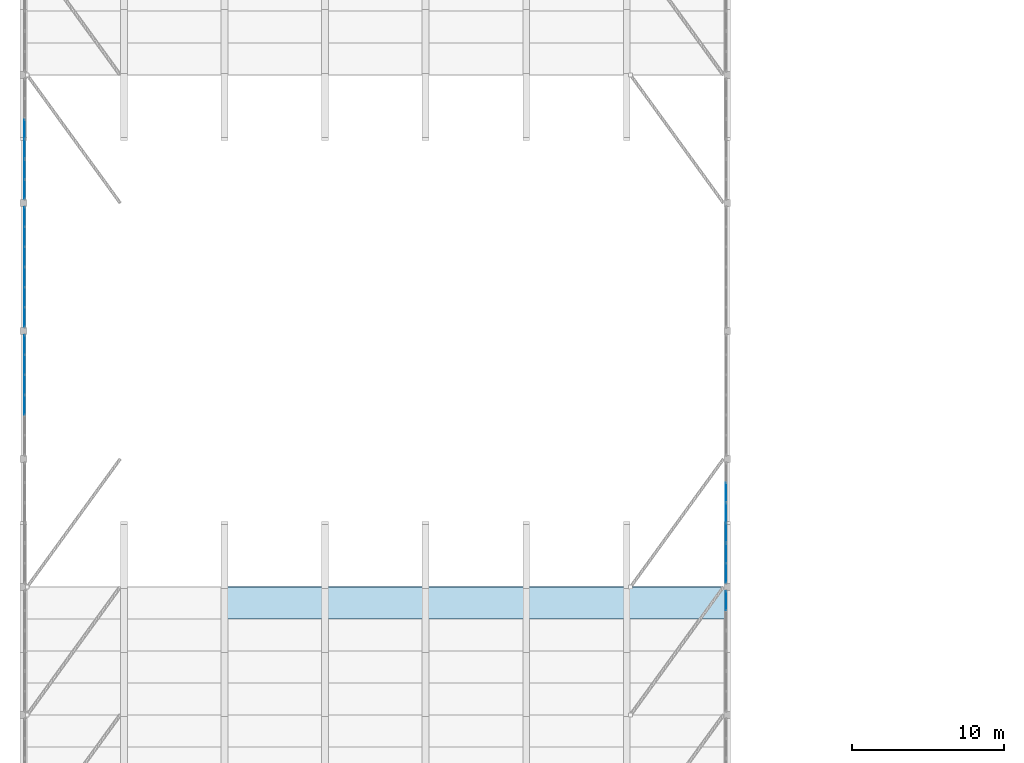
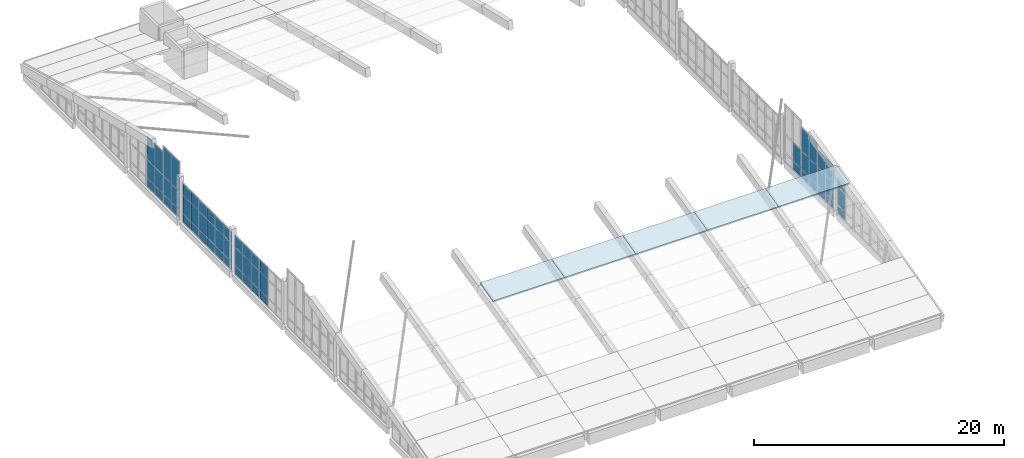
# One storey, part 42 of 78: 59 plates, 5 slabs, 8 elements without a shape of their own.
"""IFC4 building model written with IfcOpenShell, lengths in metres."""

import ifcopenshell
import ifcopenshell.guid

model = None  # the IFC model being written
_history = None  # IfcOwnerHistory: only IFC2X3 demands one
_inside = {}  # id of a spatial element -> (the spatial element, [elements in it])
_under = {}  # id of a project, library or spatial element -> (it, [spatial elements below it])
_declared = {}  # id of a project -> (the project, [libraries it declares])
_typed = {}  # id of a type object -> (the type object, [elements of that type])
_made_of = {}  # id of a material, layer set ... -> (it, [elements and type objects made of it])


def new_model(schema):
    """Start an empty IFC model of exactly this schema.

    Asked for "IFC4X3", IfcOpenShell would pick the latest addendum, in which some entities
    have other attributes; the version numbers below select the first issue.
    IFC2X3 requires an IfcOwnerHistory on every rooted entity: one is made here for all.
    """
    global model, _history
    if schema == "IFC4X3":
        model = ifcopenshell.file(schema_version=(4, 3, 0, 0))
    else:
        model = ifcopenshell.file(schema=schema)
    _inside.clear()
    _under.clear()
    _declared.clear()
    _typed.clear()
    _made_of.clear()
    _history = None
    if model.schema == "IFC2X3":
        org = make("IfcOrganization", Name="unknown")
        user = make(
            "IfcPersonAndOrganization",
            ThePerson=make("IfcPerson", FamilyName="unknown"),
            TheOrganization=org,
        )
        app = make(
            "IfcApplication",
            ApplicationDeveloper=org,
            Version="unknown",
            ApplicationFullName="unknown",
            ApplicationIdentifier="unknown",
        )
        _history = make(
            "IfcOwnerHistory",
            OwningUser=user,
            OwningApplication=app,
            ChangeAction="ADDED",
            CreationDate=0,
        )
    return model


def make(cls, **values):
    """One entity of the class cls with the attributes given. An attribute that is None is left unset."""
    return model.create_entity(
        cls, **{name: value for name, value in values.items() if value is not None}
    )


def rooted(cls, **values):
    """An entity with a GlobalId (a new one), such as an element, a storey or a relation."""
    return make(cls, GlobalId=ifcopenshell.guid.new(), OwnerHistory=_history, **values)


def si_unit(unit_type, name, prefix=None):
    """IfcSIUnit, for example si_unit("LENGTHUNIT", "METRE", prefix="MILLI")."""
    return make("IfcSIUnit", UnitType=unit_type, Prefix=prefix, Name=name)


def assignment(units):
    """IfcUnitAssignment: the units of a project."""
    return None if units is None else make("IfcUnitAssignment", Units=units)


def point(xyz):
    """IfcCartesianPoint."""
    return None if xyz is None else make("IfcCartesianPoint", Coordinates=xyz)


def direction(xyz):
    """IfcDirection."""
    return None if xyz is None else make("IfcDirection", DirectionRatios=xyz)


def frame(location, z_axis=None, x_axis=None):
    """IfcAxis2Placement3D, a coordinate frame: its origin and axes. An axis left out is left unset."""
    return make(
        "IfcAxis2Placement3D",
        Location=point(location),
        Axis=direction(z_axis),
        RefDirection=direction(x_axis),
    )


def frame_2d(location, x_axis=None):
    """IfcAxis2Placement2D, a coordinate frame in the plane: its origin and x axis."""
    return make(
        "IfcAxis2Placement2D", Location=point(location), RefDirection=direction(x_axis)
    )


def origin():
    """The frame at (0, 0, 0) with its axes left unset."""
    return frame((0.0, 0.0, 0.0))


def origin_2d():
    """The frame at (0, 0) in the plane with its x axis left unset."""
    return frame_2d((0.0, 0.0))


def place(relative_to, where):
    """IfcLocalPlacement: puts the frame where relative to a parent placement (None: the world)."""
    return make(
        "IfcLocalPlacement", PlacementRelTo=relative_to, RelativePlacement=where
    )


def context(
    kind, dimensions, precision=None, world=None, true_north=None, identifier=None
):
    """IfcGeometricRepresentationContext, for example the 3D "Model" context."""
    return make(
        "IfcGeometricRepresentationContext",
        ContextIdentifier=identifier,
        ContextType=kind,
        CoordinateSpaceDimension=dimensions,
        Precision=precision,
        WorldCoordinateSystem=world,
        TrueNorth=true_north,
    )


def subcontext(parent, identifier, kind, view, scale=None):
    """IfcGeometricRepresentationSubContext, for example "Body" below "Model"."""
    return make(
        "IfcGeometricRepresentationSubContext",
        ContextIdentifier=identifier,
        ContextType=kind,
        ParentContext=parent,
        TargetScale=scale,
        TargetView=view,
    )


def project(units=None, contexts=None):
    """IfcProject with its units and contexts."""
    return rooted(
        "IfcProject",
        Name="project",
        RepresentationContexts=contexts,
        UnitsInContext=assignment(units),
    )


def spatial(cls, under=None, at=None, **own):
    """A site, building, storey or space (cls), placed at a placement, below another one or the project."""
    s = rooted(cls, ObjectPlacement=at, **own)
    if under is not None:
        _under.setdefault(under.id(), (under, []))[1].append(s)
    return s


def polyline(points):
    """IfcPolyline through the points."""
    return make("IfcPolyline", Points=[point(p) for p in points])


def profile(cls, at=None, kind="AREA", **sizes):
    """A parametric profile (cls). Its sizes go by their IFC names, for example OverallWidth=200.0."""
    return make(cls, ProfileType=kind, Position=at, **sizes)


def rectangle(**sizes):
    """IfcRectangleProfileDef."""
    return profile("IfcRectangleProfileDef", **sizes)


def outline(outer, holes=None, kind="AREA"):
    """IfcArbitraryClosedProfileDef: a profile drawn as a closed curve; with holes, ...WithVoids."""
    if holes is None:
        return make("IfcArbitraryClosedProfileDef", ProfileType=kind, OuterCurve=outer)
    return make(
        "IfcArbitraryProfileDefWithVoids",
        ProfileType=kind,
        OuterCurve=outer,
        InnerCurves=holes,
    )


def extrude(swept, where, along, depth):
    """IfcExtrudedAreaSolid: the profile swept, set in the frame where, extruded along a direction by depth."""
    return make(
        "IfcExtrudedAreaSolid",
        SweptArea=swept,
        Position=where,
        ExtrudedDirection=direction(along),
        Depth=depth,
    )


def shape(context_of_items, identifier, shape_type, items):
    """IfcShapeRepresentation: the items that make up one representation, for example the "Body"."""
    return make(
        "IfcShapeRepresentation",
        ContextOfItems=context_of_items,
        RepresentationIdentifier=identifier,
        RepresentationType=shape_type,
        Items=items,
    )


def material(Name=None, Category=None):
    """IfcMaterial."""
    return make("IfcMaterial", Name=Name, Category=Category)


def layer(
    of_material, thickness, ventilated=None, Name=None, Category=None, Priority=None
):
    """IfcMaterialLayer: one layer of a wall or slab, of a material (None: an air gap)."""
    return make(
        "IfcMaterialLayer",
        Material=of_material,
        LayerThickness=thickness,
        IsVentilated=ventilated,
        Name=Name,
        Category=Category,
        Priority=Priority,
    )


def layer_set(layers, Name=None):
    """IfcMaterialLayerSet."""
    return make("IfcMaterialLayerSet", MaterialLayers=layers, LayerSetName=Name)


def made_of(thing, what):
    """Note that an element or type object is made of a material, layer set ...; save() writes the relation."""
    if what is not None:
        _made_of.setdefault(what.id(), (what, []))[1].append(thing)
    return thing


def type_object(cls, material=None, **own):
    """A type object (cls), such as IfcWallType, which elements share."""
    return made_of(rooted(cls, **own), material)


def element(
    cls,
    number,
    at=None,
    inside=None,
    cuts=None,
    type_object=None,
    material=None,
    context=None,
    identifier="Body",
    shape_type=None,
    held_by="IfcProductDefinitionShape",
    body=None,
    shapes=None,
    **own,
):
    """One element of the class cls, such as IfcWall. Its Tag is "e" and its number.

    at: its placement. inside: the storey or other place that contains it. cuts: it is an
    opening in that element (IfcRelVoidsElement). A single representation is given by context,
    identifier, shape_type and body (its items); several are given by shapes. held_by: the class
    of the entity that holds the representations. save() writes the other relations.
    """
    e = rooted(cls, Tag="e%d" % number, ObjectPlacement=at, **own)
    if body is not None:
        shapes = [shape(context, identifier, shape_type, body)]
    if shapes is not None:
        e.Representation = make(held_by, Representations=shapes)
    if inside is not None:
        _inside.setdefault(inside.id(), (inside, []))[1].append(e)
    if cuts is not None:
        rooted(
            "IfcRelVoidsElement", RelatingBuildingElement=cuts, RelatedOpeningElement=e
        )
    if type_object is not None:
        _typed.setdefault(type_object.id(), (type_object, []))[1].append(e)
    return made_of(e, material)


def aggregate(whole, parts):
    """IfcRelAggregates: a whole, such as a stair, and the parts it consists of."""
    return rooted("IfcRelAggregates", RelatingObject=whole, RelatedObjects=parts)


def save(model, path):
    """Write the relations noted so far, then the file.

    IfcRelAggregates (storeys below a building ...), IfcRelContainedInSpatialStructure (elements
    in a storey), IfcRelDefinesByType, IfcRelAssociatesMaterial and IfcRelDeclares: one each for
    every whole, place, type object, material and project.
    """
    for whole, parts in _under.values():
        aggregate(whole, parts)
    for where, things in _inside.values():
        rooted(
            "IfcRelContainedInSpatialStructure",
            RelatedElements=things,
            RelatingStructure=where,
        )
    for kind, things in _typed.values():
        rooted("IfcRelDefinesByType", RelatedObjects=things, RelatingType=kind)
    for what, things in _made_of.values():
        rooted("IfcRelAssociatesMaterial", RelatedObjects=things, RelatingMaterial=what)
    for by, libraries in _declared.values():
        rooted("IfcRelDeclares", RelatingContext=by, RelatedDefinitions=libraries)
    model.write(path)


model = new_model("IFC4")

# Units and contexts
model_context = context("Model", 3, precision=1e-05, world=origin(), true_north=direction((0.0, 1.0)))
body_context = subcontext(model_context, "Body", "Model", "MODEL_VIEW")
ifc_project = project(units=[si_unit("LENGTHUNIT", "METRE"), si_unit("AREAUNIT", "SQUARE_METRE"), si_unit("VOLUMEUNIT", "CUBIC_METRE"), si_unit("PLANEANGLEUNIT", "RADIAN"), si_unit("MASSUNIT", "GRAM", prefix="KILO")], contexts=[model_context])

# Site, building, storey
site_placement = place(None, origin())
site = spatial("IfcSite", under=ifc_project, at=site_placement, CompositionType="ELEMENT")
building_placement = place(site_placement, origin())
building = spatial("IfcBuilding", under=site, at=building_placement, Name="Qaldarim Faculty of Natural and Applied Sciences", CompositionType="ELEMENT")
storey_placement = place(building_placement, frame((0.0, 0.0, 18.60009765625)))
storey = spatial("IfcBuildingStorey", under=building, at=storey_placement, Name="L04", CompositionType="ELEMENT", Elevation=18.60009765625)

# Slabs
ifc_material_1 = material(Name="Concrete C40/50", Category="concrete")
ifc_layer_1 = layer(ifc_material_1, 0.159912109375)
ifc_layer_set_1 = layer_set([ifc_layer_1], Name="Concrete C40/50")
slab_type = type_object("IfcSlabType", Name="PointedArchShellStrip-160", PredefinedType="ROOF", material=ifc_layer_set_1)
slab_1_placement = place(storey_placement, frame((13.199951171875, 31.5380859375, 3.66943359375), z_axis=(0.0, -0.238123063783, 0.971234990357), x_axis=(1.0, 0.0, 0.0)))
element("IfcSlab", 1, at=slab_1_placement, inside=storey, type_object=slab_type, Name="Pointed-arch shell strip B03-S09", PredefinedType="ROOF", context=body_context, shape_type="SweptSolid", body=[
    extrude(outline(polyline([(0.0, 0.0), (6.60009765625, 0.0), (6.60009765625, 2.162296125139883), (0.0, 2.162296125139883), (0.0, 0.0)])), origin(), (0.0, 0.0, 1.0), 0.159912109375),
])
slab_2_placement = place(storey_placement, frame((19.800048828125, 31.5380859375, 3.66943359375), z_axis=(0.0, -0.238123063783, 0.971234990357), x_axis=(1.0, 0.0, 0.0)))
element("IfcSlab", 2, at=slab_2_placement, inside=storey, type_object=slab_type, Name="Pointed-arch shell strip B04-S09", PredefinedType="ROOF", context=body_context, shape_type="SweptSolid", body=[
    extrude(outline(polyline([(0.0, 0.0), (6.599853515625, 0.0), (6.599853515625, 2.162296125139883), (0.0, 2.162296125139883), (0.0, 0.0)])), origin(), (0.0, 0.0, 1.0), 0.159912109375),
])
for number, where, z_axis, x_axis, name in (
    (3, (26.39990234375, 31.5380859375, 3.66943359375), (0.0, -0.238123063783, 0.971234990357), (1.0, 0.0, 0.0), "Pointed-arch shell strip B05-S09"),
    (4, (33.0, 31.5380859375, 3.66943359375), (0.0, -0.238123063783, 0.971234990357), (1.0, 0.0, 0.0), "Pointed-arch shell strip B06-S09"),
):
    element("IfcSlab", number, at=place(storey_placement, frame(where, z_axis=z_axis, x_axis=x_axis)), inside=storey, type_object=slab_type, Name=name, PredefinedType="ROOF", context=body_context, shape_type="SweptSolid", body=[
        extrude(outline(polyline([(0.0, 0.0), (6.60009765625, 0.0), (6.60009765625, 2.162296125139883), (0.0, 2.162296125139883), (0.0, 0.0)])), origin(), (0.0, 0.0, 1.0), 0.159912109375),
    ])
slab_3_placement = place(storey_placement, frame((39.60009765625, 31.5380859375, 3.66943359375), z_axis=(0.0, -0.238123063783, 0.971234990357), x_axis=(1.0, 0.0, 0.0)))
element("IfcSlab", 5, at=slab_3_placement, inside=storey, type_object=slab_type, Name="Pointed-arch shell strip B07-S09", PredefinedType="ROOF", context=body_context, shape_type="SweptSolid", body=[
    extrude(outline(polyline([(0.0, 0.0), (6.599853515625, 0.0), (6.599853515625, 2.162296125139883), (0.0, 2.162296125139883), (0.0, 0.0)])), origin(), (0.0, 0.0, 1.0), 0.159912109375),
])

# Curtain wall, plates
ifc_material_2 = material(Name="Anodised aluminium AW-6063", Category="aluminium")
curtain_wall_type = type_object("IfcCurtainWallType", Name="CurtainWallSystem-M1300", PredefinedType="USERDEFINED", material=ifc_material_2)
curtain_wall_1_placement = place(storey_placement, origin())
curtain_wall_1 = element("IfcCurtainWall", 6, at=curtain_wall_1_placement, inside=storey, type_object=curtain_wall_type, Name="Curtain wall CW-GABLE-L04-W-Y06", ObjectType="STICK CURTAIN WALL", PredefinedType="USERDEFINED")
ifc_material_3 = material(Name="Insulated low-e double glazing", Category="glass")
ifc_layer_2 = layer(ifc_material_3, 0.028076171875)
ifc_layer_set_2 = layer_set([ifc_layer_2], Name="Insulated low-e double glazing")
plate_type = type_object("IfcPlateType", Name="VisionGlazingPanel-28", PredefinedType="CURTAIN_PANEL", material=ifc_layer_set_2)
plate_1_placement = place(storey_placement, frame((0.080078125, 49.493408203125, -0.2001953125), z_axis=(0.0, 0.0, 1.0), x_axis=(0.0, -1.0, 0.0)))
plate_1 = element("IfcPlate", 7, at=plate_1_placement, type_object=plate_type, Name="Glazed panel 1-1 of CW-GABLE-L04-W-Y06", PredefinedType="CURTAIN_PANEL", context=body_context, shape_type="SweptSolid", body=[
    extrude(rectangle(XDim=1.2333984375, YDim=0.028076171875, at=origin_2d()), origin(), (0.0, 0.0, 1.0), 0.81005859375),
])
plate_2_placement = place(storey_placement, frame((0.080078125, 49.493408203125, 0.669921875), z_axis=(0.0, 0.0, 1.0), x_axis=(0.0, -1.0, 0.0)))
plate_2 = element("IfcPlate", 8, at=plate_2_placement, type_object=plate_type, Name="Glazed panel 1-2 of CW-GABLE-L04-W-Y06", PredefinedType="CURTAIN_PANEL", context=body_context, shape_type="SweptSolid", body=[
    extrude(rectangle(XDim=1.2333984375, YDim=0.028076171875, at=origin_2d()), origin(), (0.0, 0.0, 1.0), 1.739990234375),
])
plate_3_placement = place(storey_placement, frame((0.080078125, 49.493408203125, 2.4697265625), z_axis=(0.0, 0.0, 1.0), x_axis=(0.0, -1.0, 0.0)))
plate_3 = element("IfcPlate", 9, at=plate_3_placement, type_object=plate_type, Name="Glazed panel 1-3 of CW-GABLE-L04-W-Y06", PredefinedType="CURTAIN_PANEL", context=body_context, shape_type="SweptSolid", body=[
    extrude(rectangle(XDim=1.2333984375, YDim=0.028076171875, at=origin_2d()), origin(), (0.0, 0.0, 1.0), 1.070068359375),
])
plate_4_placement = place(storey_placement, frame((0.080078125, 48.18505859375, -0.2001953125), z_axis=(0.0, 0.0, 1.0), x_axis=(0.0, -1.0, 0.0)))
plate_4 = element("IfcPlate", 10, at=plate_4_placement, type_object=plate_type, Name="Glazed panel 2-1 of CW-GABLE-L04-W-Y06", PredefinedType="CURTAIN_PANEL", context=body_context, shape_type="SweptSolid", body=[
    extrude(rectangle(XDim=1.26318359375, YDim=0.028076171875, at=origin_2d()), origin(), (0.0, 0.0, 1.0), 0.81005859375),
])
plate_5_placement = place(storey_placement, frame((0.080078125, 48.18505859375, 0.669921875), z_axis=(0.0, 0.0, 1.0), x_axis=(0.0, -1.0, 0.0)))
plate_5 = element("IfcPlate", 11, at=plate_5_placement, type_object=plate_type, Name="Glazed panel 2-2 of CW-GABLE-L04-W-Y06", PredefinedType="CURTAIN_PANEL", context=body_context, shape_type="SweptSolid", body=[
    extrude(rectangle(XDim=1.26318359375, YDim=0.028076171875, at=origin_2d()), origin(), (0.0, 0.0, 1.0), 1.739990234375),
])
plate_6_placement = place(storey_placement, frame((0.080078125, 48.18505859375, 2.4697265625), z_axis=(0.0, 0.0, 1.0), x_axis=(0.0, -1.0, 0.0)))
plate_6 = element("IfcPlate", 12, at=plate_6_placement, type_object=plate_type, Name="Glazed panel 2-3 of CW-GABLE-L04-W-Y06", PredefinedType="CURTAIN_PANEL", context=body_context, shape_type="SweptSolid", body=[
    extrude(rectangle(XDim=1.26318359375, YDim=0.028076171875, at=origin_2d()), origin(), (0.0, 0.0, 1.0), 1.070068359375),
])
plate_7_placement = place(storey_placement, frame((0.080078125, 46.86181640625, -0.2001953125), z_axis=(0.0, 0.0, 1.0), x_axis=(0.0, -1.0, 0.0)))
plate_7 = element("IfcPlate", 13, at=plate_7_placement, type_object=plate_type, Name="Glazed panel 3-1 of CW-GABLE-L04-W-Y06", PredefinedType="CURTAIN_PANEL", context=body_context, shape_type="SweptSolid", body=[
    extrude(rectangle(XDim=1.26318359375, YDim=0.028076171875, at=origin_2d()), origin(), (0.0, 0.0, 1.0), 0.81005859375),
])
plate_8_placement = place(storey_placement, frame((0.080078125, 46.86181640625, 0.669921875), z_axis=(0.0, 0.0, 1.0), x_axis=(0.0, -1.0, 0.0)))
plate_8 = element("IfcPlate", 14, at=plate_8_placement, type_object=plate_type, Name="Glazed panel 3-2 of CW-GABLE-L04-W-Y06", PredefinedType="CURTAIN_PANEL", context=body_context, shape_type="SweptSolid", body=[
    extrude(rectangle(XDim=1.26318359375, YDim=0.028076171875, at=origin_2d()), origin(), (0.0, 0.0, 1.0), 1.739990234375),
])
plate_9_placement = place(storey_placement, frame((0.080078125, 46.86181640625, 2.4697265625), z_axis=(0.0, 0.0, 1.0), x_axis=(0.0, -1.0, 0.0)))
plate_9 = element("IfcPlate", 15, at=plate_9_placement, type_object=plate_type, Name="Glazed panel 3-3 of CW-GABLE-L04-W-Y06", PredefinedType="CURTAIN_PANEL", context=body_context, shape_type="SweptSolid", body=[
    extrude(rectangle(XDim=1.26318359375, YDim=0.028076171875, at=origin_2d()), origin(), (0.0, 0.0, 1.0), 1.070068359375),
])
plate_10_placement = place(storey_placement, frame((0.080078125, 45.538330078125, -0.2001953125), z_axis=(0.0, 0.0, 1.0), x_axis=(0.0, -1.0, 0.0)))
plate_10 = element("IfcPlate", 16, at=plate_10_placement, type_object=plate_type, Name="Glazed panel 4-1 of CW-GABLE-L04-W-Y06", PredefinedType="CURTAIN_PANEL", context=body_context, shape_type="SweptSolid", body=[
    extrude(rectangle(XDim=1.26318359375, YDim=0.028076171875, at=origin_2d()), origin(), (0.0, 0.0, 1.0), 0.81005859375),
])
plate_11_placement = place(storey_placement, frame((0.080078125, 45.538330078125, 0.669921875), z_axis=(0.0, 0.0, 1.0), x_axis=(0.0, -1.0, 0.0)))
plate_11 = element("IfcPlate", 17, at=plate_11_placement, type_object=plate_type, Name="Glazed panel 4-2 of CW-GABLE-L04-W-Y06", PredefinedType="CURTAIN_PANEL", context=body_context, shape_type="SweptSolid", body=[
    extrude(rectangle(XDim=1.26318359375, YDim=0.028076171875, at=origin_2d()), origin(), (0.0, 0.0, 1.0), 1.739990234375),
])
plate_12_placement = place(storey_placement, frame((0.080078125, 45.538330078125, 2.4697265625), z_axis=(0.0, 0.0, 1.0), x_axis=(0.0, -1.0, 0.0)))
plate_12 = element("IfcPlate", 18, at=plate_12_placement, type_object=plate_type, Name="Glazed panel 4-3 of CW-GABLE-L04-W-Y06", PredefinedType="CURTAIN_PANEL", context=body_context, shape_type="SweptSolid", body=[
    extrude(rectangle(XDim=1.26318359375, YDim=0.028076171875, at=origin_2d()), origin(), (0.0, 0.0, 1.0), 1.070068359375),
])
aggregate(curtain_wall_1, [plate_1, plate_2, plate_3, plate_4, plate_5, plate_6, plate_7, plate_8, plate_9, plate_10, plate_11, plate_12])

curtain_wall_2_placement = place(storey_placement, origin())
curtain_wall_2 = element("IfcCurtainWall", 19, at=curtain_wall_2_placement, inside=storey, type_object=curtain_wall_type, Name="Curtain wall CW-GABLE-L04-W-Y07", ObjectType="STICK CURTAIN WALL", PredefinedType="USERDEFINED")
plate_13_placement = place(storey_placement, frame((0.080078125, 57.893310546875, -0.2001953125), z_axis=(0.0, 0.0, 1.0), x_axis=(0.0, -1.0, 0.0)))
plate_13 = element("IfcPlate", 20, at=plate_13_placement, type_object=plate_type, Name="Glazed panel 1-1 of CW-GABLE-L04-W-Y07", PredefinedType="CURTAIN_PANEL", context=body_context, shape_type="SweptSolid", body=[
    extrude(rectangle(XDim=1.2333984375, YDim=0.028076171875, at=origin_2d()), origin(), (0.0, 0.0, 1.0), 0.81005859375),
])
plate_14_placement = place(storey_placement, frame((0.080078125, 57.893310546875, 0.669921875), z_axis=(0.0, 0.0, 1.0), x_axis=(0.0, -1.0, 0.0)))
plate_14 = element("IfcPlate", 21, at=plate_14_placement, type_object=plate_type, Name="Glazed panel 1-2 of CW-GABLE-L04-W-Y07", PredefinedType="CURTAIN_PANEL", context=body_context, shape_type="SweptSolid", body=[
    extrude(rectangle(XDim=1.2333984375, YDim=0.028076171875, at=origin_2d()), origin(), (0.0, 0.0, 1.0), 1.739990234375),
])
plate_15_placement = place(storey_placement, frame((0.080078125, 57.893310546875, 2.4697265625), z_axis=(0.0, 0.0, 1.0), x_axis=(0.0, -1.0, 0.0)))
plate_15 = element("IfcPlate", 22, at=plate_15_placement, type_object=plate_type, Name="Glazed panel 1-3 of CW-GABLE-L04-W-Y07", PredefinedType="CURTAIN_PANEL", context=body_context, shape_type="SweptSolid", body=[
    extrude(rectangle(XDim=1.2333984375, YDim=0.028076171875, at=origin_2d()), origin(), (0.0, 0.0, 1.0), 1.070068359375),
])
plate_16_placement = place(storey_placement, frame((0.080078125, 56.5849609375, -0.2001953125), z_axis=(0.0, 0.0, 1.0), x_axis=(0.0, -1.0, 0.0)))
plate_16 = element("IfcPlate", 23, at=plate_16_placement, type_object=plate_type, Name="Glazed panel 2-1 of CW-GABLE-L04-W-Y07", PredefinedType="CURTAIN_PANEL", context=body_context, shape_type="SweptSolid", body=[
    extrude(rectangle(XDim=1.26318359375, YDim=0.028076171875, at=origin_2d()), origin(), (0.0, 0.0, 1.0), 0.81005859375),
])
plate_17_placement = place(storey_placement, frame((0.080078125, 56.5849609375, 0.669921875), z_axis=(0.0, 0.0, 1.0), x_axis=(0.0, -1.0, 0.0)))
plate_17 = element("IfcPlate", 24, at=plate_17_placement, type_object=plate_type, Name="Glazed panel 2-2 of CW-GABLE-L04-W-Y07", PredefinedType="CURTAIN_PANEL", context=body_context, shape_type="SweptSolid", body=[
    extrude(rectangle(XDim=1.26318359375, YDim=0.028076171875, at=origin_2d()), origin(), (0.0, 0.0, 1.0), 1.739990234375),
])
plate_18_placement = place(storey_placement, frame((0.080078125, 56.5849609375, 2.4697265625), z_axis=(0.0, 0.0, 1.0), x_axis=(0.0, -1.0, 0.0)))
plate_18 = element("IfcPlate", 25, at=plate_18_placement, type_object=plate_type, Name="Glazed panel 2-3 of CW-GABLE-L04-W-Y07", PredefinedType="CURTAIN_PANEL", context=body_context, shape_type="SweptSolid", body=[
    extrude(rectangle(XDim=1.26318359375, YDim=0.028076171875, at=origin_2d()), origin(), (0.0, 0.0, 1.0), 1.070068359375),
])
plate_19_placement = place(storey_placement, frame((0.080078125, 55.26171875, -0.2001953125), z_axis=(0.0, 0.0, 1.0), x_axis=(0.0, -1.0, 0.0)))
plate_19 = element("IfcPlate", 26, at=plate_19_placement, type_object=plate_type, Name="Glazed panel 3-1 of CW-GABLE-L04-W-Y07", PredefinedType="CURTAIN_PANEL", context=body_context, shape_type="SweptSolid", body=[
    extrude(rectangle(XDim=1.26318359375, YDim=0.028076171875, at=origin_2d()), origin(), (0.0, 0.0, 1.0), 0.81005859375),
])
plate_20_placement = place(storey_placement, frame((0.080078125, 55.26171875, 0.669921875), z_axis=(0.0, 0.0, 1.0), x_axis=(0.0, -1.0, 0.0)))
plate_20 = element("IfcPlate", 27, at=plate_20_placement, type_object=plate_type, Name="Glazed panel 3-2 of CW-GABLE-L04-W-Y07", PredefinedType="CURTAIN_PANEL", context=body_context, shape_type="SweptSolid", body=[
    extrude(rectangle(XDim=1.26318359375, YDim=0.028076171875, at=origin_2d()), origin(), (0.0, 0.0, 1.0), 1.739990234375),
])
plate_21_placement = place(storey_placement, frame((0.080078125, 55.26171875, 2.4697265625), z_axis=(0.0, 0.0, 1.0), x_axis=(0.0, -1.0, 0.0)))
plate_21 = element("IfcPlate", 28, at=plate_21_placement, type_object=plate_type, Name="Glazed panel 3-3 of CW-GABLE-L04-W-Y07", PredefinedType="CURTAIN_PANEL", context=body_context, shape_type="SweptSolid", body=[
    extrude(rectangle(XDim=1.26318359375, YDim=0.028076171875, at=origin_2d()), origin(), (0.0, 0.0, 1.0), 1.070068359375),
])
plate_22_placement = place(storey_placement, frame((0.080078125, 53.938232421875, -0.2001953125), z_axis=(0.0, 0.0, 1.0), x_axis=(0.0, -1.0, 0.0)))
plate_22 = element("IfcPlate", 29, at=plate_22_placement, type_object=plate_type, Name="Glazed panel 4-1 of CW-GABLE-L04-W-Y07", PredefinedType="CURTAIN_PANEL", context=body_context, shape_type="SweptSolid", body=[
    extrude(rectangle(XDim=1.26318359375, YDim=0.028076171875, at=origin_2d()), origin(), (0.0, 0.0, 1.0), 0.81005859375),
])
plate_23_placement = place(storey_placement, frame((0.080078125, 53.938232421875, 0.669921875), z_axis=(0.0, 0.0, 1.0), x_axis=(0.0, -1.0, 0.0)))
plate_23 = element("IfcPlate", 30, at=plate_23_placement, type_object=plate_type, Name="Glazed panel 4-2 of CW-GABLE-L04-W-Y07", PredefinedType="CURTAIN_PANEL", context=body_context, shape_type="SweptSolid", body=[
    extrude(rectangle(XDim=1.26318359375, YDim=0.028076171875, at=origin_2d()), origin(), (0.0, 0.0, 1.0), 1.739990234375),
])
plate_24_placement = place(storey_placement, frame((0.080078125, 53.938232421875, 2.4697265625), z_axis=(0.0, 0.0, 1.0), x_axis=(0.0, -1.0, 0.0)))
plate_24 = element("IfcPlate", 31, at=plate_24_placement, type_object=plate_type, Name="Glazed panel 4-3 of CW-GABLE-L04-W-Y07", PredefinedType="CURTAIN_PANEL", context=body_context, shape_type="SweptSolid", body=[
    extrude(rectangle(XDim=1.26318359375, YDim=0.028076171875, at=origin_2d()), origin(), (0.0, 0.0, 1.0), 1.070068359375),
])
plate_25_placement = place(storey_placement, frame((0.080078125, 52.614990234375, -0.2001953125), z_axis=(0.0, 0.0, 1.0), x_axis=(0.0, -1.0, 0.0)))
plate_25 = element("IfcPlate", 32, at=plate_25_placement, type_object=plate_type, Name="Glazed panel 5-1 of CW-GABLE-L04-W-Y07", PredefinedType="CURTAIN_PANEL", context=body_context, shape_type="SweptSolid", body=[
    extrude(rectangle(XDim=1.26318359375, YDim=0.028076171875, at=origin_2d()), origin(), (0.0, 0.0, 1.0), 0.81005859375),
])
plate_26_placement = place(storey_placement, frame((0.080078125, 52.614990234375, 0.669921875), z_axis=(0.0, 0.0, 1.0), x_axis=(0.0, -1.0, 0.0)))
plate_26 = element("IfcPlate", 33, at=plate_26_placement, type_object=plate_type, Name="Glazed panel 5-2 of CW-GABLE-L04-W-Y07", PredefinedType="CURTAIN_PANEL", context=body_context, shape_type="SweptSolid", body=[
    extrude(rectangle(XDim=1.26318359375, YDim=0.028076171875, at=origin_2d()), origin(), (0.0, 0.0, 1.0), 1.739990234375),
])
plate_27_placement = place(storey_placement, frame((0.080078125, 52.614990234375, 2.4697265625), z_axis=(0.0, 0.0, 1.0), x_axis=(0.0, -1.0, 0.0)))
plate_27 = element("IfcPlate", 34, at=plate_27_placement, type_object=plate_type, Name="Glazed panel 5-3 of CW-GABLE-L04-W-Y07", PredefinedType="CURTAIN_PANEL", context=body_context, shape_type="SweptSolid", body=[
    extrude(rectangle(XDim=1.26318359375, YDim=0.028076171875, at=origin_2d()), origin(), (0.0, 0.0, 1.0), 1.070068359375),
])
plate_28_placement = place(storey_placement, frame((0.080078125, 51.306640625, -0.2001953125), z_axis=(0.0, 0.0, 1.0), x_axis=(0.0, -1.0, 0.0)))
plate_28 = element("IfcPlate", 35, at=plate_28_placement, type_object=plate_type, Name="Glazed panel 6-1 of CW-GABLE-L04-W-Y07", PredefinedType="CURTAIN_PANEL", context=body_context, shape_type="SweptSolid", body=[
    extrude(rectangle(XDim=1.2333984375, YDim=0.028076171875, at=origin_2d()), origin(), (0.0, 0.0, 1.0), 0.81005859375),
])
plate_29_placement = place(storey_placement, frame((0.080078125, 51.306640625, 0.669921875), z_axis=(0.0, 0.0, 1.0), x_axis=(0.0, -1.0, 0.0)))
plate_29 = element("IfcPlate", 36, at=plate_29_placement, type_object=plate_type, Name="Glazed panel 6-2 of CW-GABLE-L04-W-Y07", PredefinedType="CURTAIN_PANEL", context=body_context, shape_type="SweptSolid", body=[
    extrude(rectangle(XDim=1.2333984375, YDim=0.028076171875, at=origin_2d()), origin(), (0.0, 0.0, 1.0), 1.739990234375),
])
plate_30_placement = place(storey_placement, frame((0.080078125, 51.306640625, 2.4697265625), z_axis=(0.0, 0.0, 1.0), x_axis=(0.0, -1.0, 0.0)))
plate_30 = element("IfcPlate", 37, at=plate_30_placement, type_object=plate_type, Name="Glazed panel 6-3 of CW-GABLE-L04-W-Y07", PredefinedType="CURTAIN_PANEL", context=body_context, shape_type="SweptSolid", body=[
    extrude(rectangle(XDim=1.2333984375, YDim=0.028076171875, at=origin_2d()), origin(), (0.0, 0.0, 1.0), 1.070068359375),
])
aggregate(curtain_wall_2, [plate_13, plate_14, plate_15, plate_16, plate_17, plate_18, plate_19, plate_20, plate_21, plate_22, plate_23, plate_24, plate_25, plate_26, plate_27, plate_28, plate_29, plate_30])

curtain_wall_3_placement = place(storey_placement, origin())
curtain_wall_3 = element("IfcCurtainWall", 38, at=curtain_wall_3_placement, inside=storey, type_object=curtain_wall_type, Name="Curtain wall CW-GABLE-L04-W-Y08-1", ObjectType="STICK CURTAIN WALL", PredefinedType="USERDEFINED")
plate_31_placement = place(storey_placement, frame((0.080078125, 60.9912109375, -0.2001953125), z_axis=(0.0, 0.0, 1.0), x_axis=(0.0, -1.0, 0.0)))
plate_31 = element("IfcPlate", 39, at=plate_31_placement, type_object=plate_type, Name="Glazed panel 1-1 of CW-GABLE-L04-W-Y08-1", PredefinedType="CURTAIN_PANEL", context=body_context, shape_type="SweptSolid", body=[
    extrude(rectangle(XDim=1.2275390625, YDim=0.028076171875, at=origin_2d()), origin(), (0.0, 0.0, 1.0), 0.81005859375),
])
plate_32_placement = place(storey_placement, frame((0.080078125, 60.9912109375, 0.669921875), z_axis=(0.0, 0.0, 1.0), x_axis=(0.0, -1.0, 0.0)))
plate_32 = element("IfcPlate", 40, at=plate_32_placement, type_object=plate_type, Name="Glazed panel 1-2 of CW-GABLE-L04-W-Y08-1", PredefinedType="CURTAIN_PANEL", context=body_context, shape_type="SweptSolid", body=[
    extrude(rectangle(XDim=1.2275390625, YDim=0.028076171875, at=origin_2d()), origin(), (0.0, 0.0, 1.0), 1.739990234375),
])
plate_33_placement = place(storey_placement, frame((0.080078125, 60.9912109375, 2.4697265625), z_axis=(0.0, 0.0, 1.0), x_axis=(0.0, -1.0, 0.0)))
plate_33 = element("IfcPlate", 41, at=plate_33_placement, type_object=plate_type, Name="Glazed panel 1-3 of CW-GABLE-L04-W-Y08-1", PredefinedType="CURTAIN_PANEL", context=body_context, shape_type="SweptSolid", body=[
    extrude(rectangle(XDim=1.2275390625, YDim=0.028076171875, at=origin_2d()), origin(), (0.0, 0.0, 1.0), 2.820068359375),
])
plate_34_placement = place(storey_placement, frame((0.080078125, 59.70361328125, -0.2001953125), z_axis=(0.0, 0.0, 1.0), x_axis=(0.0, -1.0, 0.0)))
plate_34 = element("IfcPlate", 42, at=plate_34_placement, type_object=plate_type, Name="Glazed panel 2-1 of CW-GABLE-L04-W-Y08-1", PredefinedType="CURTAIN_PANEL", context=body_context, shape_type="SweptSolid", body=[
    extrude(rectangle(XDim=1.2275390625, YDim=0.028076171875, at=origin_2d()), origin(), (0.0, 0.0, 1.0), 0.81005859375),
])
plate_35_placement = place(storey_placement, frame((0.080078125, 59.70361328125, 0.669921875), z_axis=(0.0, 0.0, 1.0), x_axis=(0.0, -1.0, 0.0)))
plate_35 = element("IfcPlate", 43, at=plate_35_placement, type_object=plate_type, Name="Glazed panel 2-2 of CW-GABLE-L04-W-Y08-1", PredefinedType="CURTAIN_PANEL", context=body_context, shape_type="SweptSolid", body=[
    extrude(rectangle(XDim=1.2275390625, YDim=0.028076171875, at=origin_2d()), origin(), (0.0, 0.0, 1.0), 1.739990234375),
])
plate_36_placement = place(storey_placement, frame((0.080078125, 59.70361328125, 2.4697265625), z_axis=(0.0, 0.0, 1.0), x_axis=(0.0, -1.0, 0.0)))
plate_36 = element("IfcPlate", 44, at=plate_36_placement, type_object=plate_type, Name="Glazed panel 2-3 of CW-GABLE-L04-W-Y08-1", PredefinedType="CURTAIN_PANEL", context=body_context, shape_type="SweptSolid", body=[
    extrude(rectangle(XDim=1.2275390625, YDim=0.028076171875, at=origin_2d()), origin(), (0.0, 0.0, 1.0), 2.820068359375),
])
aggregate(curtain_wall_3, [plate_31, plate_32, plate_33, plate_34, plate_35, plate_36])

curtain_wall_4_placement = place(storey_placement, origin())
curtain_wall_4 = element("IfcCurtainWall", 45, at=curtain_wall_4_placement, inside=storey, type_object=curtain_wall_type, Name="Curtain wall CW-GABLE-L04-W-Y08-2", ObjectType="STICK CURTAIN WALL", PredefinedType="USERDEFINED")
plate_37_placement = place(storey_placement, frame((0.080078125, 63.646240234375, -0.2001953125), z_axis=(0.0, 0.0, 1.0), x_axis=(0.0, -1.0, 0.0)))
plate_37 = element("IfcPlate", 46, at=plate_37_placement, type_object=plate_type, Name="Glazed panel 1-1 of CW-GABLE-L04-W-Y08-2", PredefinedType="CURTAIN_PANEL", context=body_context, shape_type="SweptSolid", body=[
    extrude(rectangle(XDim=1.2275390625, YDim=0.028076171875, at=origin_2d()), origin(), (0.0, 0.0, 1.0), 0.81005859375),
])
plate_38_placement = place(storey_placement, frame((0.080078125, 63.646240234375, 0.669921875), z_axis=(0.0, 0.0, 1.0), x_axis=(0.0, -1.0, 0.0)))
plate_38 = element("IfcPlate", 47, at=plate_38_placement, type_object=plate_type, Name="Glazed panel 1-2 of CW-GABLE-L04-W-Y08-2", PredefinedType="CURTAIN_PANEL", context=body_context, shape_type="SweptSolid", body=[
    extrude(rectangle(XDim=1.2275390625, YDim=0.028076171875, at=origin_2d()), origin(), (0.0, 0.0, 1.0), 1.739990234375),
])
plate_39_placement = place(storey_placement, frame((0.080078125, 63.646240234375, 2.4697265625), z_axis=(0.0, 0.0, 1.0), x_axis=(0.0, -1.0, 0.0)))
plate_39 = element("IfcPlate", 48, at=plate_39_placement, type_object=plate_type, Name="Glazed panel 1-3 of CW-GABLE-L04-W-Y08-2", PredefinedType="CURTAIN_PANEL", context=body_context, shape_type="SweptSolid", body=[
    extrude(rectangle(XDim=1.2275390625, YDim=0.028076171875, at=origin_2d()), origin(), (0.0, 0.0, 1.0), 2.215087890625),
])
plate_40_placement = place(storey_placement, frame((0.080078125, 62.35888671875, -0.2001953125), z_axis=(0.0, 0.0, 1.0), x_axis=(0.0, -1.0, 0.0)))
plate_40 = element("IfcPlate", 49, at=plate_40_placement, type_object=plate_type, Name="Glazed panel 2-1 of CW-GABLE-L04-W-Y08-2", PredefinedType="CURTAIN_PANEL", context=body_context, shape_type="SweptSolid", body=[
    extrude(rectangle(XDim=1.2275390625, YDim=0.028076171875, at=origin_2d()), origin(), (0.0, 0.0, 1.0), 0.81005859375),
])
plate_41_placement = place(storey_placement, frame((0.080078125, 62.35888671875, 0.669921875), z_axis=(0.0, 0.0, 1.0), x_axis=(0.0, -1.0, 0.0)))
plate_41 = element("IfcPlate", 50, at=plate_41_placement, type_object=plate_type, Name="Glazed panel 2-2 of CW-GABLE-L04-W-Y08-2", PredefinedType="CURTAIN_PANEL", context=body_context, shape_type="SweptSolid", body=[
    extrude(rectangle(XDim=1.2275390625, YDim=0.028076171875, at=origin_2d()), origin(), (0.0, 0.0, 1.0), 1.739990234375),
])
plate_42_placement = place(storey_placement, frame((0.080078125, 62.35888671875, 2.4697265625), z_axis=(0.0, 0.0, 1.0), x_axis=(0.0, -1.0, 0.0)))
plate_42 = element("IfcPlate", 51, at=plate_42_placement, type_object=plate_type, Name="Glazed panel 2-3 of CW-GABLE-L04-W-Y08-2", PredefinedType="CURTAIN_PANEL", context=body_context, shape_type="SweptSolid", body=[
    extrude(rectangle(XDim=1.2275390625, YDim=0.028076171875, at=origin_2d()), origin(), (0.0, 0.0, 1.0), 2.215087890625),
])
aggregate(curtain_wall_4, [plate_37, plate_38, plate_39, plate_40, plate_41, plate_42])

curtain_wall_5_placement = place(storey_placement, origin())
curtain_wall_5 = element("IfcCurtainWall", 52, at=curtain_wall_5_placement, inside=storey, type_object=curtain_wall_type, Name="Curtain wall CW-GABLE-L04-E-Y04-3", ObjectType="STICK CURTAIN WALL", PredefinedType="USERDEFINED")
plate_43_placement = place(storey_placement, frame((46.1201171875, 32.6962890625, -0.2001953125), z_axis=(0.0, 0.0, 1.0), x_axis=(0.0, 1.0, 0.0)))
plate_43 = element("IfcPlate", 53, at=plate_43_placement, type_object=plate_type, Name="Glazed panel 2-1 of CW-GABLE-L04-E-Y04-3", PredefinedType="CURTAIN_PANEL", context=body_context, shape_type="SweptSolid", body=[
    extrude(rectangle(XDim=1.2275390625, YDim=0.028076171875, at=origin_2d()), origin(), (0.0, 0.0, 1.0), 0.81005859375),
])
plate_44_placement = place(storey_placement, frame((46.1201171875, 32.6962890625, 0.669921875), z_axis=(0.0, 0.0, 1.0), x_axis=(0.0, 1.0, 0.0)))
plate_44 = element("IfcPlate", 54, at=plate_44_placement, type_object=plate_type, Name="Glazed panel 2-2 of CW-GABLE-L04-E-Y04-3", PredefinedType="CURTAIN_PANEL", context=body_context, shape_type="SweptSolid", body=[
    extrude(rectangle(XDim=1.2275390625, YDim=0.028076171875, at=origin_2d()), origin(), (0.0, 0.0, 1.0), 1.739990234375),
])
plate_45_placement = place(storey_placement, frame((46.1201171875, 32.6962890625, 2.469970703125), z_axis=(0.0, 0.0, 1.0), x_axis=(0.0, 1.0, 0.0)))
plate_45 = element("IfcPlate", 55, at=plate_45_placement, type_object=plate_type, Name="Glazed panel 2-3 of CW-GABLE-L04-E-Y04-3", PredefinedType="CURTAIN_PANEL", context=body_context, shape_type="SweptSolid", body=[
    extrude(rectangle(XDim=1.2275390625, YDim=0.028076171875, at=origin_2d()), origin(), (0.0, 0.0, 1.0), 0.85498046875),
])
aggregate(curtain_wall_5, [plate_43, plate_44, plate_45])

curtain_wall_6_placement = place(storey_placement, origin())
curtain_wall_6 = element("IfcCurtainWall", 56, at=curtain_wall_6_placement, inside=storey, type_object=curtain_wall_type, Name="Curtain wall CW-GABLE-L04-E-Y05-1", ObjectType="STICK CURTAIN WALL", PredefinedType="USERDEFINED")
plate_46_placement = place(storey_placement, frame((46.1201171875, 34.503662109375, -0.2001953125), z_axis=(0.0, 0.0, 1.0), x_axis=(0.0, 1.0, 0.0)))
plate_46 = element("IfcPlate", 57, at=plate_46_placement, type_object=plate_type, Name="Glazed panel 1-1 of CW-GABLE-L04-E-Y05-1", PredefinedType="CURTAIN_PANEL", context=body_context, shape_type="SweptSolid", body=[
    extrude(rectangle(XDim=1.2275390625, YDim=0.028076171875, at=origin_2d()), origin(), (0.0, 0.0, 1.0), 0.81005859375),
])
plate_47_placement = place(storey_placement, frame((46.1201171875, 34.503662109375, 0.669921875), z_axis=(0.0, 0.0, 1.0), x_axis=(0.0, 1.0, 0.0)))
plate_47 = element("IfcPlate", 58, at=plate_47_placement, type_object=plate_type, Name="Glazed panel 1-2 of CW-GABLE-L04-E-Y05-1", PredefinedType="CURTAIN_PANEL", context=body_context, shape_type="SweptSolid", body=[
    extrude(rectangle(XDim=1.2275390625, YDim=0.028076171875, at=origin_2d()), origin(), (0.0, 0.0, 1.0), 1.739990234375),
])
plate_48_placement = place(storey_placement, frame((46.1201171875, 34.503662109375, 2.4697265625), z_axis=(0.0, 0.0, 1.0), x_axis=(0.0, 1.0, 0.0)))
plate_48 = element("IfcPlate", 59, at=plate_48_placement, type_object=plate_type, Name="Glazed panel 1-3 of CW-GABLE-L04-E-Y05-1", PredefinedType="CURTAIN_PANEL", context=body_context, shape_type="SweptSolid", body=[
    extrude(rectangle(XDim=1.2275390625, YDim=0.028076171875, at=origin_2d()), origin(), (0.0, 0.0, 1.0), 1.594970703125),
])
plate_49_placement = place(storey_placement, frame((46.1201171875, 35.791259765625, -0.2001953125), z_axis=(0.0, 0.0, 1.0), x_axis=(0.0, 1.0, 0.0)))
plate_49 = element("IfcPlate", 60, at=plate_49_placement, type_object=plate_type, Name="Glazed panel 2-1 of CW-GABLE-L04-E-Y05-1", PredefinedType="CURTAIN_PANEL", context=body_context, shape_type="SweptSolid", body=[
    extrude(rectangle(XDim=1.2275390625, YDim=0.028076171875, at=origin_2d()), origin(), (0.0, 0.0, 1.0), 0.81005859375),
])
plate_50_placement = place(storey_placement, frame((46.1201171875, 35.791259765625, 0.669921875), z_axis=(0.0, 0.0, 1.0), x_axis=(0.0, 1.0, 0.0)))
plate_50 = element("IfcPlate", 61, at=plate_50_placement, type_object=plate_type, Name="Glazed panel 2-2 of CW-GABLE-L04-E-Y05-1", PredefinedType="CURTAIN_PANEL", context=body_context, shape_type="SweptSolid", body=[
    extrude(rectangle(XDim=1.2275390625, YDim=0.028076171875, at=origin_2d()), origin(), (0.0, 0.0, 1.0), 1.739990234375),
])
plate_51_placement = place(storey_placement, frame((46.1201171875, 35.791259765625, 2.4697265625), z_axis=(0.0, 0.0, 1.0), x_axis=(0.0, 1.0, 0.0)))
plate_51 = element("IfcPlate", 62, at=plate_51_placement, type_object=plate_type, Name="Glazed panel 2-3 of CW-GABLE-L04-E-Y05-1", PredefinedType="CURTAIN_PANEL", context=body_context, shape_type="SweptSolid", body=[
    extrude(rectangle(XDim=1.2275390625, YDim=0.028076171875, at=origin_2d()), origin(), (0.0, 0.0, 1.0), 1.594970703125),
])
aggregate(curtain_wall_6, [plate_46, plate_47, plate_48, plate_49, plate_50, plate_51])

curtain_wall_7_placement = place(storey_placement, origin())
curtain_wall_7 = element("IfcCurtainWall", 63, at=curtain_wall_7_placement, inside=storey, type_object=curtain_wall_type, Name="Curtain wall CW-GABLE-L04-E-Y05-2", ObjectType="STICK CURTAIN WALL", PredefinedType="USERDEFINED")
plate_52_placement = place(storey_placement, frame((46.1201171875, 37.15869140625, -0.2001953125), z_axis=(0.0, 0.0, 1.0), x_axis=(0.0, 1.0, 0.0)))
plate_52 = element("IfcPlate", 64, at=plate_52_placement, type_object=plate_type, Name="Glazed panel 1-1 of CW-GABLE-L04-E-Y05-2", PredefinedType="CURTAIN_PANEL", context=body_context, shape_type="SweptSolid", body=[
    extrude(rectangle(XDim=1.2275390625, YDim=0.028076171875, at=origin_2d()), origin(), (0.0, 0.0, 1.0), 0.81005859375),
])
plate_53_placement = place(storey_placement, frame((46.1201171875, 37.15869140625, 0.669921875), z_axis=(0.0, 0.0, 1.0), x_axis=(0.0, 1.0, 0.0)))
plate_53 = element("IfcPlate", 65, at=plate_53_placement, type_object=plate_type, Name="Glazed panel 1-2 of CW-GABLE-L04-E-Y05-2", PredefinedType="CURTAIN_PANEL", context=body_context, shape_type="SweptSolid", body=[
    extrude(rectangle(XDim=1.2275390625, YDim=0.028076171875, at=origin_2d()), origin(), (0.0, 0.0, 1.0), 1.739990234375),
])
plate_54_placement = place(storey_placement, frame((46.1201171875, 37.15869140625, 2.4697265625), z_axis=(0.0, 0.0, 1.0), x_axis=(0.0, 1.0, 0.0)))
plate_54 = element("IfcPlate", 66, at=plate_54_placement, type_object=plate_type, Name="Glazed panel 1-3 of CW-GABLE-L04-E-Y05-2", PredefinedType="CURTAIN_PANEL", context=body_context, shape_type="SweptSolid", body=[
    extrude(rectangle(XDim=1.2275390625, YDim=0.028076171875, at=origin_2d()), origin(), (0.0, 0.0, 1.0), 2.215087890625),
])
plate_55_placement = place(storey_placement, frame((46.1201171875, 38.4462890625, -0.2001953125), z_axis=(0.0, 0.0, 1.0), x_axis=(0.0, 1.0, 0.0)))
plate_55 = element("IfcPlate", 67, at=plate_55_placement, type_object=plate_type, Name="Glazed panel 2-1 of CW-GABLE-L04-E-Y05-2", PredefinedType="CURTAIN_PANEL", context=body_context, shape_type="SweptSolid", body=[
    extrude(rectangle(XDim=1.2275390625, YDim=0.028076171875, at=origin_2d()), origin(), (0.0, 0.0, 1.0), 0.81005859375),
])
plate_56_placement = place(storey_placement, frame((46.1201171875, 38.4462890625, 0.669921875), z_axis=(0.0, 0.0, 1.0), x_axis=(0.0, 1.0, 0.0)))
plate_56 = element("IfcPlate", 68, at=plate_56_placement, type_object=plate_type, Name="Glazed panel 2-2 of CW-GABLE-L04-E-Y05-2", PredefinedType="CURTAIN_PANEL", context=body_context, shape_type="SweptSolid", body=[
    extrude(rectangle(XDim=1.2275390625, YDim=0.028076171875, at=origin_2d()), origin(), (0.0, 0.0, 1.0), 1.739990234375),
])
plate_57_placement = place(storey_placement, frame((46.1201171875, 38.4462890625, 2.4697265625), z_axis=(0.0, 0.0, 1.0), x_axis=(0.0, 1.0, 0.0)))
plate_57 = element("IfcPlate", 69, at=plate_57_placement, type_object=plate_type, Name="Glazed panel 2-3 of CW-GABLE-L04-E-Y05-2", PredefinedType="CURTAIN_PANEL", context=body_context, shape_type="SweptSolid", body=[
    extrude(rectangle(XDim=1.2275390625, YDim=0.028076171875, at=origin_2d()), origin(), (0.0, 0.0, 1.0), 2.215087890625),
])
aggregate(curtain_wall_7, [plate_52, plate_53, plate_54, plate_55, plate_56, plate_57])

curtain_wall_8_placement = place(storey_placement, origin())
curtain_wall_8 = element("IfcCurtainWall", 70, at=curtain_wall_8_placement, inside=storey, type_object=curtain_wall_type, Name="Curtain wall CW-GABLE-L04-E-Y05-3", ObjectType="STICK CURTAIN WALL", PredefinedType="USERDEFINED")
plate_58_placement = place(storey_placement, frame((46.1201171875, 39.80859375, -0.2001953125), z_axis=(0.0, 0.0, 1.0), x_axis=(0.0, 1.0, 0.0)))
plate_58 = element("IfcPlate", 71, at=plate_58_placement, type_object=plate_type, Name="Glazed panel 1-1 of CW-GABLE-L04-E-Y05-3", PredefinedType="CURTAIN_PANEL", context=body_context, shape_type="SweptSolid", body=[
    extrude(rectangle(XDim=1.2275390625, YDim=0.028076171875, at=origin_2d()), origin(), (0.0, 0.0, 1.0), 0.81005859375),
])
plate_59_placement = place(storey_placement, frame((46.1201171875, 39.80859375, 0.669921875), z_axis=(0.0, 0.0, 1.0), x_axis=(0.0, 1.0, 0.0)))
plate_59 = element("IfcPlate", 72, at=plate_59_placement, type_object=plate_type, Name="Glazed panel 1-2 of CW-GABLE-L04-E-Y05-3", PredefinedType="CURTAIN_PANEL", context=body_context, shape_type="SweptSolid", body=[
    extrude(rectangle(XDim=1.2275390625, YDim=0.028076171875, at=origin_2d()), origin(), (0.0, 0.0, 1.0), 1.739990234375),
])
aggregate(curtain_wall_8, [plate_58, plate_59])

save(model, "model.ifc")
